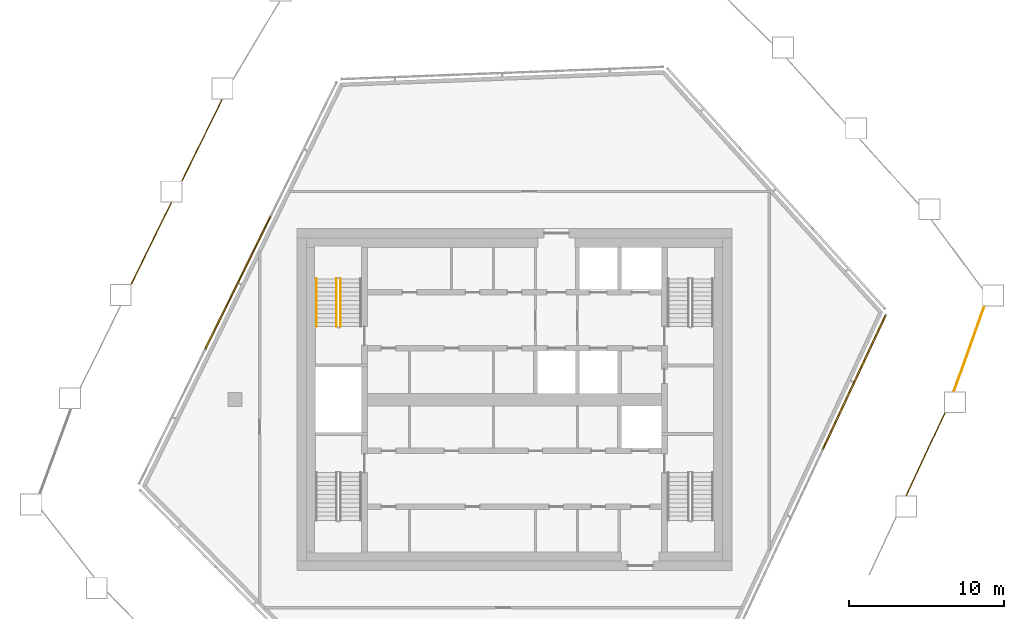
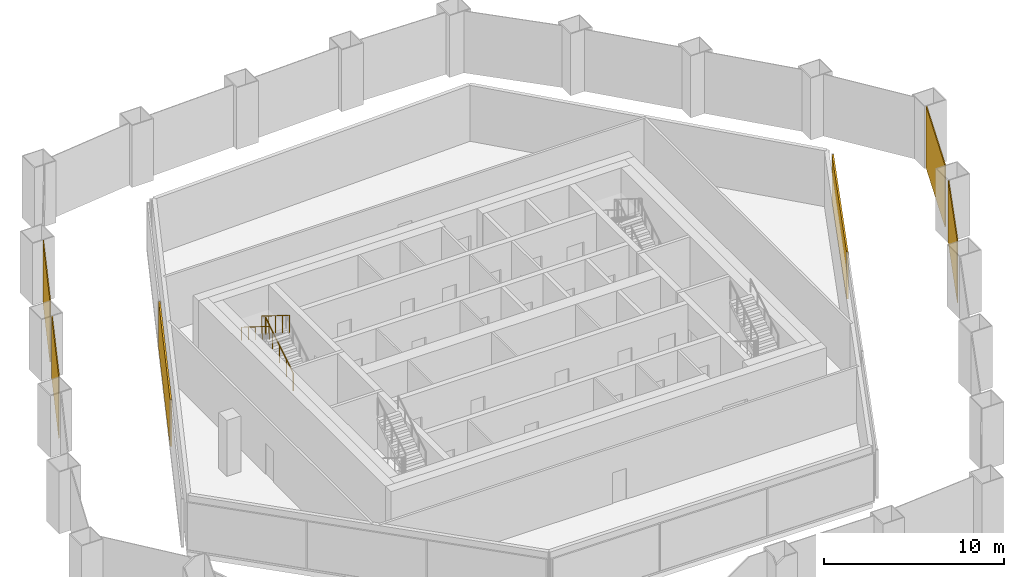
# One storey, part 15 of 18: 6 coverings, 3 railings, 2 elements without a shape of their own.
"""IFC4 building model written with IfcOpenShell, lengths in metres."""

from ifc_helpers import new_model, si_unit, direction, frame, origin, origin_2d, place, context, subcontext, project, spatial, polyline, rectangle, circle, outline, extrude, material, layer, layer_set, type_object, element, aggregate, save


model = new_model("IFC4")

# Units and contexts
model_context = context("Model", 3, precision=1e-05, world=origin(), true_north=direction((0.0, 1.0)))
body_context = subcontext(model_context, "Body", "Model", "MODEL_VIEW")
ifc_project = project(units=[si_unit("LENGTHUNIT", "METRE"), si_unit("AREAUNIT", "SQUARE_METRE"), si_unit("VOLUMEUNIT", "CUBIC_METRE"), si_unit("PLANEANGLEUNIT", "RADIAN"), si_unit("MASSUNIT", "GRAM", prefix="KILO")], contexts=[model_context])

# Site, building, storey
site_placement = place(None, origin())
site = spatial("IfcSite", under=ifc_project, at=site_placement, CompositionType="ELEMENT")
building_placement = place(site_placement, origin())
building = spatial("IfcBuilding", under=site, at=building_placement, Name="Dongbaek Canopy Tower", CompositionType="ELEMENT")
storey_placement = place(building_placement, frame((0.0, 0.0, 367.39990234375)))
storey = spatial("IfcBuildingStorey", under=building, at=storey_placement, Name="L79", CompositionType="ELEMENT", Elevation=367.39990234375)

# Coverings
ifc_material_1 = material(Name="Perforated pale metal")
ifc_layer_1 = layer(ifc_material_1, 0.06005859375)
ifc_layer_set_1 = layer_set([ifc_layer_1], Name="Crown plant screen")
covering_type_1 = type_object("IfcCoveringType", Name="Crown plant screen", PredefinedType="CLADDING", material=ifc_layer_set_1)
covering_1_placement = place(storey_placement, origin())
element("IfcCovering", 1, at=covering_1_placement, inside=storey, type_object=covering_type_1, Name="Crown plant screen 12 L79", PredefinedType="CLADDING", context=body_context, shape_type="SweptSolid", body=[
    extrude(outline(polyline([(25.239501953125, -6.178955078125), (25.17333984375, -6.178955078125), (27.658935546875, -0.8701171875), (27.72509765625, -0.8701171875), (25.239501953125, -6.178955078125)])), origin(), (0.0, 0.0, 1.0), 4.2001953125),
])
covering_2_placement = place(storey_placement, origin())
element("IfcCovering", 2, at=covering_2_placement, inside=storey, type_object=covering_type_1, Name="Crown plant screen 13 L79", PredefinedType="CLADDING", context=body_context, shape_type="SweptSolid", body=[
    extrude(outline(polyline([(28.314453125, 0.530029296875), (28.250732421875, 0.530029296875), (30.20458984375, 5.998046875), (30.268310546875, 5.998046875), (28.314453125, 0.530029296875)])), origin(), (0.0, 0.0, 1.0), 4.2001953125),
])
covering_3_placement = place(storey_placement, origin())
element("IfcCovering", 3, at=covering_3_placement, inside=storey, type_object=covering_type_1, Name="Crown plant screen 23 L79", PredefinedType="CLADDING", context=body_context, shape_type="SweptSolid", body=[
    extrude(outline(polyline([(-18.849365234375, 19.33203125), (-18.78271484375, 19.33203125), (-21.3759765625, 14.0595703125), (-21.3759765625, 14.083984375), (-21.430908203125, 14.083984375), (-18.849365234375, 19.33203125)])), origin(), (0.0, 0.0, 1.0), 4.2001953125),
])
covering_4_placement = place(storey_placement, origin())
element("IfcCovering", 4, at=covering_4_placement, inside=storey, type_object=covering_type_1, Name="Crown plant screen 24 L79", PredefinedType="CLADDING", context=body_context, shape_type="SweptSolid", body=[
    extrude(outline(polyline([(-22.119384765625, 12.68408203125), (-22.052490234375, 12.68408203125), (-24.64697265625, 7.410400390625), (-24.64697265625, 7.43505859375), (-24.70166015625, 7.43505859375), (-22.119384765625, 12.68408203125)])), origin(), (0.0, 0.0, 1.0), 4.2001953125),
])

# Curtain wall, covering
ifc_material_2 = material(Name="Aluminium 6063-T6 pale anodised", Category="aluminium")
ifc_layer_2 = layer(ifc_material_2, 0.14990234375)
ifc_layer_set_2 = layer_set([ifc_layer_2], Name="CW-7 louvre curtain wall")
curtain_wall_type = type_object("IfcCurtainWallType", Name="CW-7 louvre curtain wall", PredefinedType="NOTDEFINED", material=ifc_layer_set_2)
curtain_wall_1_placement = place(storey_placement, origin())
curtain_wall_1 = element("IfcCurtainWall", 5, at=curtain_wall_1_placement, inside=storey, type_object=curtain_wall_type, Name="CW-7 louvre wall L79 F1", PredefinedType="NOTDEFINED")
ifc_material_3 = material(Name="Aluminium 6063-T6 pale metal louvre blades", Category="aluminium")
ifc_layer_3 = layer(ifc_material_3, 0.10009765625)
ifc_layer_set_3 = layer_set([ifc_layer_3], Name="Louvre LV bank 100 x 3200")
covering_type_2 = type_object("IfcCoveringType", Name="Louvre LV bank 100 x 3200", PredefinedType="CLADDING", material=ifc_layer_set_3)
covering_5_placement = place(storey_placement, frame((21.86376953125, 1.118408203125, 0.30029296875), z_axis=(0.0, 0.0, 1.0), x_axis=(0.42412286138, 0.905604659029, 0.0)))
covering_5 = element("IfcCovering", 6, at=covering_5_placement, type_object=covering_type_2, Name="Louvre L79 F1.1.3", PredefinedType="CLADDING", context=body_context, shape_type="SweptSolid", body=[
    extrude(rectangle(XDim=9.510498046875, YDim=0.10009765625, at=origin_2d()), origin(), (0.0, 0.0, 1.0), 3.199951171875),
])
aggregate(curtain_wall_1, [covering_5])

curtain_wall_2_placement = place(storey_placement, origin())
curtain_wall_2 = element("IfcCurtainWall", 7, at=curtain_wall_2_placement, inside=storey, type_object=curtain_wall_type, Name="CW-7 louvre wall L79 F4", PredefinedType="NOTDEFINED")
covering_6_placement = place(storey_placement, frame((-17.808837890625, 7.51025390625, 0.30029296875), z_axis=(0.0, 0.0, 1.0), x_axis=(-0.441341619439, -0.897339163834, 0.0)))
covering_6 = element("IfcCovering", 8, at=covering_6_placement, type_object=covering_type_2, Name="Louvre L79 F4.1.2", PredefinedType="CLADDING", context=body_context, shape_type="SweptSolid", body=[
    extrude(rectangle(XDim=9.51171875, YDim=0.10009765625, at=origin_2d()), origin(), (0.0, 0.0, 1.0), 3.199951171875),
])
aggregate(curtain_wall_2, [covering_6])

# Railings
ifc_material_4 = material(Name="Stainless steel tube and balusters", Category="steel")
railing_type_1 = type_object("IfcRailingType", Name="Stair guard 1200", PredefinedType="GUARDRAIL", material=ifc_material_4)
railing_1_placement = place(storey_placement, frame((-11.199951171875, 4.699951171875, 0.175048828125)))
element("IfcRailing", 9, at=railing_1_placement, inside=storey, type_object=railing_type_1, Name="L79 ST-C stair guard 1", PredefinedType="GUARDRAIL", context=body_context, shape_type="SweptSolid", body=[
    extrude(circle(Radius=0.02392578125, at=origin_2d()), frame((0.0, 0.0, 1.17578125), z_axis=(0.0, 0.847998304005, 0.529998940003), x_axis=(-1.0, 0.0, 0.0)), (0.0, 0.0, 1.0), 3.632080078125),
    extrude(circle(Radius=0.02099609375, at=origin_2d()), origin(), (0.0, 0.0, 1.0), 1.15185546875),
    extrude(circle(Radius=0.02099609375, at=origin_2d()), frame((0.0, 0.77001953125, 0.481201171875)), (0.0, 0.0, 1.0), 1.15185546875),
    extrude(circle(Radius=0.02099609375, at=origin_2d()), frame((0.0, 1.5400390625, 0.96240234375)), (0.0, 0.0, 1.0), 1.15185546875),
    extrude(circle(Radius=0.02099609375, at=origin_2d()), frame((0.0, 2.31005859375, 1.44384765625)), (0.0, 0.0, 1.0), 1.15185546875),
    extrude(circle(Radius=0.02099609375, at=origin_2d()), frame((0.0, 3.080078125, 1.925048828125)), (0.0, 0.0, 1.0), 1.15185546875),
])
railing_2_placement = place(storey_placement, frame((-11.449951171875, 7.780029296875, 2.275146484375)))
element("IfcRailing", 10, at=railing_2_placement, inside=storey, type_object=railing_type_1, Name="L79 ST-C stair guard 3", PredefinedType="GUARDRAIL", context=body_context, shape_type="SweptSolid", body=[
    extrude(circle(Radius=0.02392578125, at=origin_2d()), frame((0.0, 0.0, 1.17578125), z_axis=(0.0, -0.847998304005, 0.529998940003), x_axis=(1.0, 0.0, 0.0)), (0.0, 0.0, 1.0), 3.632080078125),
    extrude(circle(Radius=0.02099609375, at=origin_2d()), origin(), (0.0, 0.0, 1.0), 1.15185546875),
    extrude(circle(Radius=0.02099609375, at=origin_2d()), frame((0.0, -0.77001953125, 0.481201171875)), (0.0, 0.0, 1.0), 1.15185546875),
    extrude(circle(Radius=0.02099609375, at=origin_2d()), frame((0.0, -1.5400390625, 0.96240234375)), (0.0, 0.0, 1.0), 1.15185546875),
    extrude(circle(Radius=0.02099609375, at=origin_2d()), frame((0.0, -2.31005859375, 1.44384765625)), (0.0, 0.0, 1.0), 1.15185546875),
    extrude(circle(Radius=0.02099609375, at=origin_2d()), frame((0.0, -3.080078125, 1.925048828125)), (0.0, 0.0, 1.0), 1.15185546875),
])
ifc_material_5 = material(Name="Stainless steel tube", Category="steel")
railing_type_2 = type_object("IfcRailingType", Name="Stair handrail 900", PredefinedType="HANDRAIL", material=ifc_material_5)
railing_3_placement = place(storey_placement, frame((-12.75, 7.780029296875, 2.275146484375)))
element("IfcRailing", 11, at=railing_3_placement, inside=storey, type_object=railing_type_2, Name="L79 ST-C stair handrail 2", PredefinedType="HANDRAIL", context=body_context, shape_type="SweptSolid", body=[
    extrude(circle(Radius=0.02392578125, at=origin_2d()), frame((0.0, 0.0, 0.8759765625), z_axis=(0.0, -0.847998304005, 0.529998940003), x_axis=(1.0, 0.0, 0.0)), (0.0, 0.0, 1.0), 3.632080078125),
    extrude(circle(Radius=0.02099609375, at=origin_2d()), origin(), (0.0, 0.0, 1.0), 0.851806640625),
    extrude(circle(Radius=0.02099609375, at=origin_2d()), frame((0.0, -0.77001953125, 0.481201171875)), (0.0, 0.0, 1.0), 0.851806640625),
    extrude(circle(Radius=0.02099609375, at=origin_2d()), frame((0.0, -1.5400390625, 0.96240234375)), (0.0, 0.0, 1.0), 0.851806640625),
    extrude(circle(Radius=0.02099609375, at=origin_2d()), frame((0.0, -2.31005859375, 1.44384765625)), (0.0, 0.0, 1.0), 0.851806640625),
    extrude(circle(Radius=0.02099609375, at=origin_2d()), frame((0.0, -3.080078125, 1.925048828125)), (0.0, 0.0, 1.0), 0.851806640625),
])

save(model, "model.ifc")
